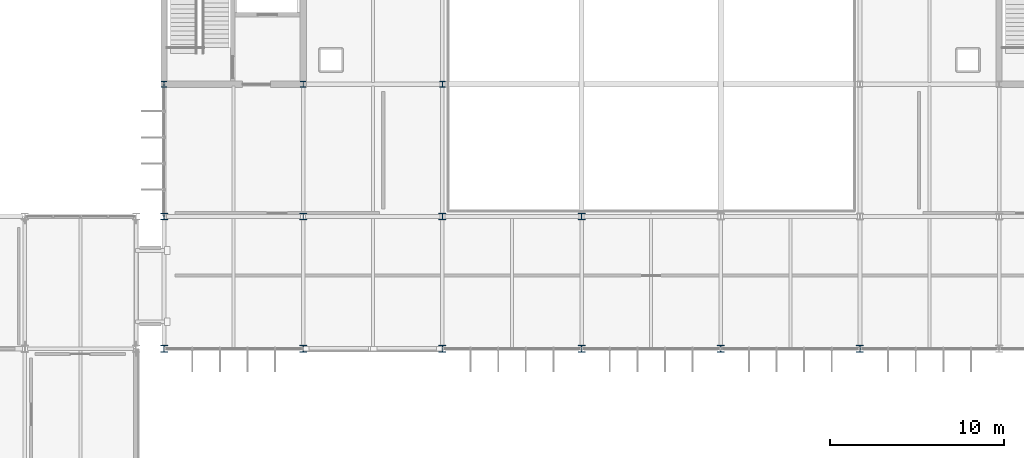
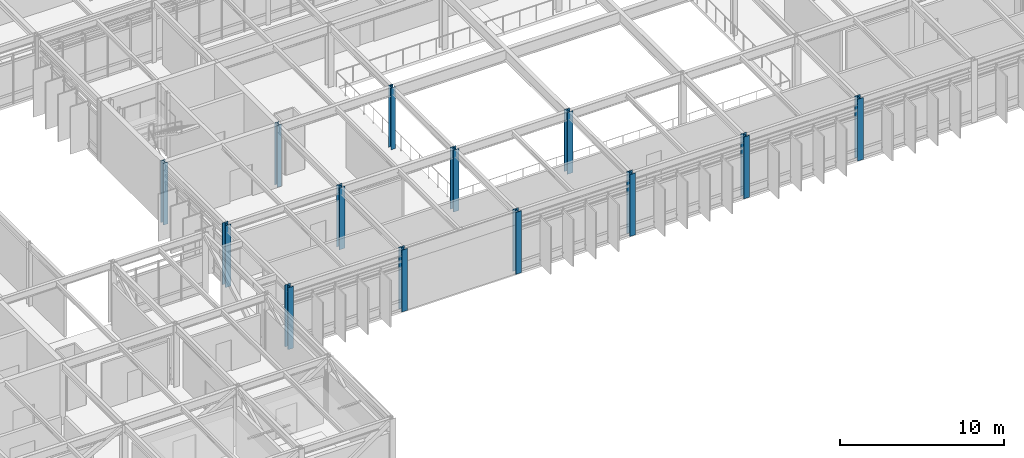
# One storey, part 8 of 104: 13 columns.
"""IFC4 building model written with IfcOpenShell, lengths in metres."""

from ifc_helpers import new_model, si_unit, direction, frame, origin, origin_2d, place, context, subcontext, project, spatial, i_section, extrude, material, material_profile, profile_set, type_object, element, save


model = new_model("IFC4")

# Units and contexts
model_context = context("Model", 3, precision=1e-05, world=origin(), true_north=direction((0.0, 1.0)))
body_context = subcontext(model_context, "Body", "Model", "MODEL_VIEW")
ifc_project = project(units=[si_unit("LENGTHUNIT", "METRE"), si_unit("AREAUNIT", "SQUARE_METRE"), si_unit("VOLUMEUNIT", "CUBIC_METRE"), si_unit("PLANEANGLEUNIT", "RADIAN"), si_unit("MASSUNIT", "GRAM", prefix="KILO")], contexts=[model_context])

# Site, building, storey
site_placement = place(None, origin())
site = spatial("IfcSite", under=ifc_project, at=site_placement, CompositionType="ELEMENT")
building_placement = place(site_placement, origin())
building = spatial("IfcBuilding", under=site, at=building_placement, Name="Zulena Civic Courthouse", CompositionType="ELEMENT")
storey_placement = place(building_placement, frame((0.0, 0.0, 15.60009765625)))
storey = spatial("IfcBuildingStorey", under=building, at=storey_placement, Name="L03", CompositionType="ELEMENT", Elevation=15.60009765625)

# Columns
ifc_material = material(Name="Steel ASTM A992 Grade 50", Category="steel")
ifc_material_profile_1 = material_profile(ifc_material, i_section(OverallWidth=0.31298828125, OverallDepth=0.3330078125, WebThickness=0.01806640625, FlangeThickness=0.0283203125, FilletRadius=0.01513671875, at=origin_2d()), Name="W12X120")
ifc_profile_set_1 = profile_set([ifc_material_profile_1], Name="Steel ASTM A992 Grade 50")
column_type_1 = type_object("IfcColumnType", Name="Col_W12X120", PredefinedType="COLUMN", material=ifc_profile_set_1)
for number, where, z_axis, x_axis, name in (
    (1, (68.0, 30.39990234375, 0.0), (0.0, 0.0, 1.0), (1.0, 0.0, 0.0), "col:V4:L03:68.0:30.4"),
    (2, (76.0, 30.39990234375, 0.0), (0.0, 0.0, 1.0), (1.0, 0.0, 0.0), "col:V4:L03:76.0:30.4"),
    (3, (84.0, 30.39990234375, 0.0), (0.0, 0.0, 1.0), (1.0, 0.0, 0.0), "col:V4:L03:84.0:30.4"),
):
    element("IfcColumn", number, at=place(storey_placement, frame(where, z_axis=z_axis, x_axis=x_axis)), inside=storey, type_object=column_type_1, Name=name, PredefinedType="COLUMN", context=body_context, shape_type="SweptSolid", body=[
        extrude(i_section(OverallWidth=0.31298828125, OverallDepth=0.3330078125, WebThickness=0.01806640625, FlangeThickness=0.0283203125, FilletRadius=0.01513671875, at=origin_2d()), origin(), (0.0, 0.0, 1.0), 4.58984375),
    ])
ifc_material_profile_2 = material_profile(ifc_material, i_section(OverallWidth=0.39404296875, OverallDepth=0.3759765625, WebThickness=0.017333984375, FlangeThickness=0.027587890625, FilletRadius=0.01513671875, at=origin_2d()), Name="W14X145")
ifc_profile_set_2 = profile_set([ifc_material_profile_2], Name="Steel ASTM A992 Grade 50")
column_type_2 = type_object("IfcColumnType", Name="Col_W14X145", PredefinedType="COLUMN", material=ifc_profile_set_2)
for number, where, z_axis, x_axis, name in (
    (4, (76.0, 22.800048828125, 0.0), (0.0, 0.0, 1.0), (1.0, 0.0, 0.0), "col:V4:L03:76.0:22.8"),
    (5, (84.0, 22.800048828125, 0.0), (0.0, 0.0, 1.0), (1.0, 0.0, 0.0), "col:V4:L03:84.0:22.8"),
    (6, (92.0, 22.800048828125, 0.0), (0.0, 0.0, 1.0), (1.0, 0.0, 0.0), "col:V4:L03:92.0:22.8"),
):
    element("IfcColumn", number, at=place(storey_placement, frame(where, z_axis=z_axis, x_axis=x_axis)), inside=storey, type_object=column_type_2, Name=name, PredefinedType="COLUMN", context=body_context, shape_type="SweptSolid", body=[
        extrude(i_section(OverallWidth=0.39404296875, OverallDepth=0.3759765625, WebThickness=0.017333984375, FlangeThickness=0.027587890625, FilletRadius=0.01513671875, at=origin_2d()), origin(), (0.0, 0.0, 1.0), 4.58984375),
    ])
ifc_material_profile_3 = material_profile(ifc_material, i_section(OverallWidth=0.39892578125, OverallDepth=0.386962890625, WebThickness=0.02099609375, FlangeThickness=0.033203125, FilletRadius=0.01513671875, at=origin_2d()), Name="W14X176")
ifc_profile_set_3 = profile_set([ifc_material_profile_3], Name="Steel ASTM A992 Grade 50")
column_type_3 = type_object("IfcColumnType", Name="Col_W14X176", PredefinedType="COLUMN", material=ifc_profile_set_3)
for number, where, z_axis, x_axis, name in (
    (7, (68.0, 15.199951171875, 0.0), (0.0, 0.0, 1.0), (1.0, 0.0, 0.0), "col:V4:L03:68.0:15.2"),
    (8, (68.0, 22.800048828125, 0.0), (0.0, 0.0, 1.0), (1.0, 0.0, 0.0), "col:V4:L03:68.0:22.8"),
    (9, (76.0, 15.199951171875, 0.0), (0.0, 0.0, 1.0), (1.0, 0.0, 0.0), "col:V4:L03:76.0:15.2"),
):
    element("IfcColumn", number, at=place(storey_placement, frame(where, z_axis=z_axis, x_axis=x_axis)), inside=storey, type_object=column_type_3, Name=name, PredefinedType="COLUMN", context=body_context, shape_type="SweptSolid", body=[
        extrude(i_section(OverallWidth=0.39892578125, OverallDepth=0.386962890625, WebThickness=0.02099609375, FlangeThickness=0.033203125, FilletRadius=0.01513671875, at=origin_2d()), origin(), (0.0, 0.0, 1.0), 4.58984375),
    ])
ifc_material_profile_4 = material_profile(ifc_material, i_section(OverallWidth=0.40087890625, OverallDepth=0.39892578125, WebThickness=0.02490234375, FlangeThickness=0.03955078125, FilletRadius=0.01513671875, at=origin_2d()), Name="W14X211")
ifc_profile_set_4 = profile_set([ifc_material_profile_4], Name="Steel ASTM A992 Grade 50")
column_type_4 = type_object("IfcColumnType", Name="Col_W14X211", PredefinedType="COLUMN", material=ifc_profile_set_4)
for number, where, z_axis, x_axis, name in (
    (10, (84.0, 15.199951171875, 0.0), (0.0, 0.0, 1.0), (1.0, 0.0, 0.0), "col:V4:L03:84.0:15.2"),
    (11, (92.0, 15.199951171875, 0.0), (0.0, 0.0, 1.0), (1.0, 0.0, 0.0), "col:V4:L03:92.0:15.2"),
    (12, (100.0, 15.199951171875, 0.0), (0.0, 0.0, 1.0), (1.0, 0.0, 0.0), "col:V4:L03:100.0:15.2"),
    (13, (108.0, 15.199951171875, 0.0), (0.0, 0.0, 1.0), (1.0, 0.0, 0.0), "col:V4:L03:108.0:15.2"),
):
    element("IfcColumn", number, at=place(storey_placement, frame(where, z_axis=z_axis, x_axis=x_axis)), inside=storey, type_object=column_type_4, Name=name, PredefinedType="COLUMN", context=body_context, shape_type="SweptSolid", body=[
        extrude(i_section(OverallWidth=0.40087890625, OverallDepth=0.39892578125, WebThickness=0.02490234375, FlangeThickness=0.03955078125, FilletRadius=0.01513671875, at=origin_2d()), origin(), (0.0, 0.0, 1.0), 4.58984375),
    ])

save(model, "model.ifc")
